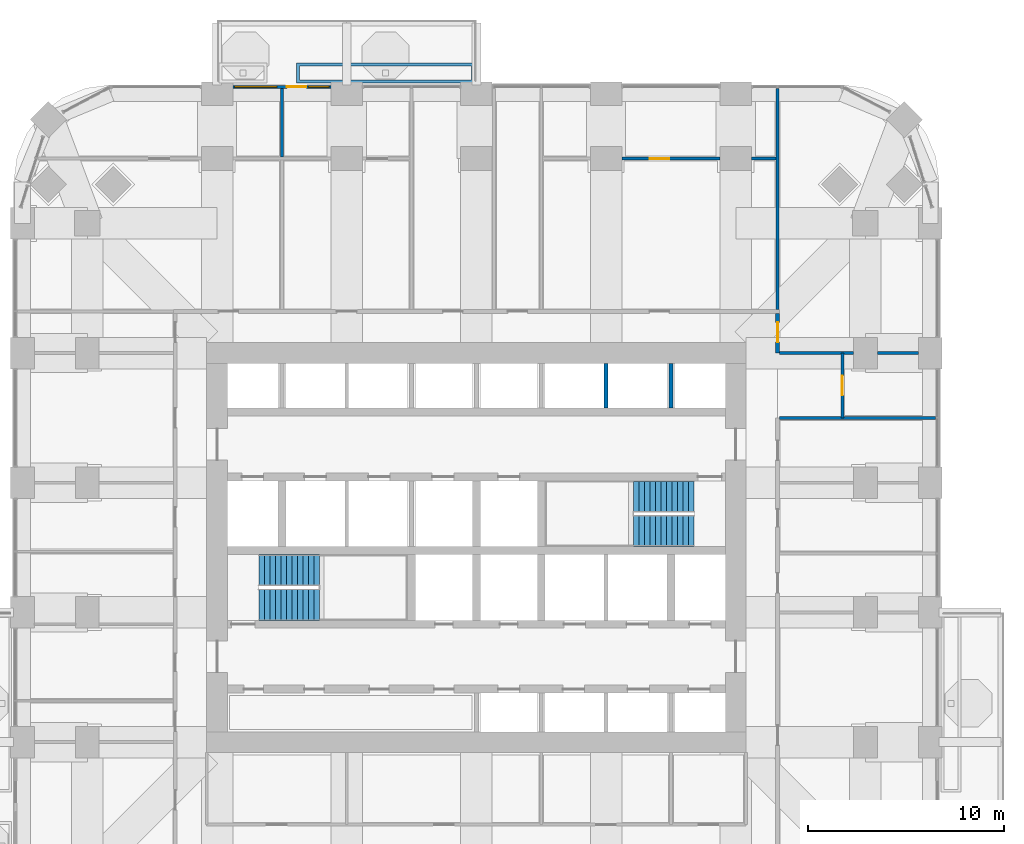
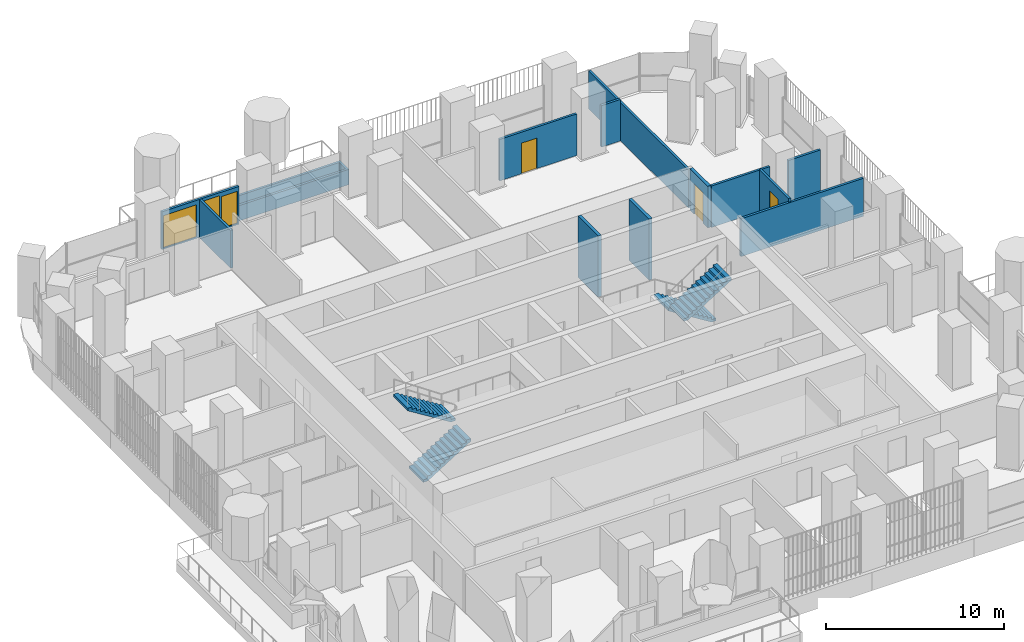
# One storey, part 16 of 21: 13 walls, 4 doors, 4 stair flights, 2 windows, 6 openings, 2 elements without a shape of their own.
"""IFC4 building model written with IfcOpenShell, lengths in metres."""

from ifc_helpers import new_model, si_unit, direction, frame, frame_2d, origin, place, context, subcontext, project, spatial, polyline, rectangle, outline, extrude, material, layer, layer_set, type_object, element, fill, aggregate, save


model = new_model("IFC4")

# Units and contexts
model_context = context("Model", 3, precision=1e-05, world=origin(), true_north=direction((0.0, 1.0)))
body_context = subcontext(model_context, "Body", "Model", "MODEL_VIEW")
ifc_project = project(units=[si_unit("LENGTHUNIT", "METRE"), si_unit("AREAUNIT", "SQUARE_METRE"), si_unit("VOLUMEUNIT", "CUBIC_METRE"), si_unit("PLANEANGLEUNIT", "RADIAN"), si_unit("MASSUNIT", "GRAM", prefix="KILO")], contexts=[model_context])

# Site, building, storey
site_placement = place(None, origin())
site = spatial("IfcSite", under=ifc_project, at=site_placement, CompositionType="ELEMENT")
building_placement = place(site_placement, origin())
building = spatial("IfcBuilding", under=site, at=building_placement, Name="Cobogo Forest Laboratory Tower", CompositionType="ELEMENT")
storey_placement = place(building_placement, frame((0.0, 0.0, 141.0)))
storey = spatial("IfcBuildingStorey", under=building, at=storey_placement, Name="L32", CompositionType="ELEMENT", Elevation=141.0)

# Wall, openings, door, windows
ifc_material_1 = material(Name="Aluminium framed glazed screen", Category="aluminium")
ifc_layer_1 = layer(ifc_material_1, 0.14990234375)
ifc_layer_set_1 = layer_set([ifc_layer_1], Name="GS1 glazed door screen 150")
wall_type_1 = type_object("IfcWallType", Name="GS1 glazed door screen 150", PredefinedType="SOLIDWALL", material=ifc_layer_set_1)
wall_1_placement = place(storey_placement, frame((19.0, 46.550048828125, 0.0), z_axis=(0.0, 0.0, 1.0), x_axis=(-1.0, 0.0, 0.0)))
wall_1 = element("IfcWall", 1, at=wall_1_placement, inside=storey, type_object=wall_type_1, Name="Door screen BAL-N1 L32", PredefinedType="SOLIDWALL", context=body_context, shape_type="SweptSolid", body=[
    extrude(rectangle(XDim=5.0, YDim=0.14990234375, at=frame_2d((2.5, 0.0))), origin(), (0.0, 0.0, 1.0), 2.60009765625),
])
opening_1_placement = place(wall_1_placement, frame((1.25, 0.0, 0.0)))
opening_1 = element("IfcOpeningElement", 2, at=opening_1_placement, cuts=wall_1, Name="Opening L32-D45", PredefinedType="OPENING", context=body_context, shape_type="SweptSolid", body=[
    extrude(rectangle(XDim=1.0, YDim=2.39990234375, at=frame_2d((0.5, 1.199951171875))), frame((0.0, 0.0849609375, 0.0), z_axis=(0.0, -1.0, 0.0), x_axis=(1.0, 0.0, 0.0)), (0.0, 0.0, 1.0), 0.169921875),
])
opening_2_placement = place(wall_1_placement, frame((0.10009765625, 0.0, 0.10009765625)))
opening_2 = element("IfcOpeningElement", 3, at=opening_2_placement, cuts=wall_1, Name="Opening L32-W08", PredefinedType="OPENING", context=body_context, shape_type="SweptSolid", body=[
    extrude(rectangle(XDim=1.050048828125, YDim=2.199951171875, at=frame_2d((0.52490234375, 1.10009765625))), frame((0.0, 0.0849609375, 0.0), z_axis=(0.0, -1.0, 0.0), x_axis=(1.0, 0.0, 0.0)), (0.0, 0.0, 1.0), 0.169921875),
])
opening_3_placement = place(wall_1_placement, frame((2.75, 0.0, 0.10009765625)))
opening_3 = element("IfcOpeningElement", 4, at=opening_3_placement, cuts=wall_1, Name="Opening L32-W07", PredefinedType="OPENING", context=body_context, shape_type="SweptSolid", body=[
    extrude(rectangle(XDim=2.14990234375, YDim=2.199951171875, at=frame_2d((1.074951171875, 1.10009765625))), frame((0.0, 0.0849609375, 0.0), z_axis=(0.0, -1.0, 0.0), x_axis=(1.0, 0.0, 0.0)), (0.0, 0.0, 1.0), 0.169921875),
])
ifc_material_2 = material(Name="Aluminium glazed door", Category="aluminium")
door_type_1 = type_object("IfcDoorType", Name="DB1 balcony door 1000 glazed", OperationType="SINGLE_SWING_LEFT", PredefinedType="DOOR", material=ifc_material_2)
door_1_placement = place(opening_1_placement, origin())
door_1 = element("IfcDoor", 5, at=door_1_placement, inside=storey, type_object=door_type_1, Name="Door L32-BAL-N1", OperationType="SINGLE_SWING_LEFT", OverallHeight=2.39990234375, OverallWidth=1.0, PredefinedType="DOOR", context=body_context, shape_type="SweptSolid", body=[
    extrude(rectangle(XDim=1.0, YDim=2.39990234375, at=frame_2d((0.5, 1.199951171875))), frame((0.0, 0.02490234375, 0.0), z_axis=(0.0, -1.0, 0.0), x_axis=(1.0, 0.0, 0.0)), (0.0, 0.0, 1.0), 0.050048828125),
])
fill(opening_1, door_1)
ifc_material_3 = material(Name="Aluminium framed glazing", Category="aluminium")
window_type_1 = type_object("IfcWindowType", Name="WG17 fixed glazed light 2150x2200", PartitioningType="SINGLE_PANEL", PredefinedType="WINDOW", material=ifc_material_3)
window_1_placement = place(opening_3_placement, origin())
window_1 = element("IfcWindow", 6, at=window_1_placement, inside=storey, type_object=window_type_1, Name="Window L32-BAL-N1-2", OverallHeight=2.199951171875, OverallWidth=2.14990234375, PartitioningType="SINGLE_PANEL", PredefinedType="WINDOW", context=body_context, shape_type="SweptSolid", body=[
    extrude(rectangle(XDim=2.14990234375, YDim=2.199951171875, at=frame_2d((1.074951171875, 1.10009765625))), frame((0.0, 0.030029296875, 0.0), z_axis=(0.0, -1.0, 0.0), x_axis=(1.0, 0.0, 0.0)), (0.0, 0.0, 1.0), 0.06005859375),
])
fill(opening_3, window_1)
window_type_2 = type_object("IfcWindowType", Name="WG18 fixed glazed light 1050x2200", PartitioningType="SINGLE_PANEL", PredefinedType="WINDOW", material=ifc_material_3)
window_2_placement = place(opening_2_placement, origin())
window_2 = element("IfcWindow", 7, at=window_2_placement, inside=storey, type_object=window_type_2, Name="Window L32-BAL-N1-1", OverallHeight=2.199951171875, OverallWidth=1.050048828125, PartitioningType="SINGLE_PANEL", PredefinedType="WINDOW", context=body_context, shape_type="SweptSolid", body=[
    extrude(rectangle(XDim=1.050048828125, YDim=2.199951171875, at=frame_2d((0.52490234375, 1.10009765625))), frame((0.0, 0.030029296875, 0.0), z_axis=(0.0, -1.0, 0.0), x_axis=(1.0, 0.0, 0.0)), (0.0, 0.0, 1.0), 0.06005859375),
])
fill(opening_2, window_2)

# Wall
ifc_material_4 = material(Name="Gypsum board on steel studs", Category="steel")
ifc_layer_2 = layer(ifc_material_4, 0.14990234375)
ifc_layer_set_2 = layer_set([ifc_layer_2], Name="PT1 laboratory partition 150")
wall_type_2 = type_object("IfcWallType", Name="PT1 laboratory partition 150", PredefinedType="PARTITIONING", material=ifc_layer_set_2)
wall_2_placement = place(storey_placement, frame((41.72509765625, 46.469970703125, 0.0), z_axis=(0.0, 0.0, 1.0), x_axis=(0.0, -1.0, 0.0)))
element("IfcWall", 8, at=wall_2_placement, inside=storey, type_object=wall_type_2, Name="Partition PW-NE L32", PredefinedType="PARTITIONING", context=body_context, shape_type="SweptSolid", body=[
    extrude(rectangle(XDim=11.244873046875, YDim=0.14990234375, at=frame_2d((5.62255859375, 0.0))), origin(), (0.0, 0.0, 1.0), 2.60009765625),
])

# Wall, opening, door
wall_3_placement = place(storey_placement, frame((45.02490234375, 29.699951171875, 0.0), z_axis=(0.0, 0.0, 1.0), x_axis=(0.0, 1.0, 0.0)))
wall_3 = element("IfcWall", 9, at=wall_3_placement, inside=storey, type_object=wall_type_2, Name="Partition NODE-E-1 L32", PredefinedType="PARTITIONING", context=body_context, shape_type="SweptSolid", body=[
    extrude(rectangle(XDim=3.300048828125, YDim=0.14990234375, at=frame_2d((1.64990234375, 0.0))), origin(), (0.0, 0.0, 1.0), 2.85009765625),
])
opening_4_placement = place(wall_3_placement, frame((1.14990234375, 0.0, 0.0)))
opening_4 = element("IfcOpeningElement", 10, at=opening_4_placement, cuts=wall_3, Name="Opening L32-D34", PredefinedType="OPENING", context=body_context, shape_type="SweptSolid", body=[
    extrude(rectangle(XDim=1.0, YDim=2.10009765625, at=frame_2d((0.5, 1.050048828125))), frame((0.0, 0.0849609375, 0.0), z_axis=(0.0, -1.0, 0.0), x_axis=(1.0, 0.0, 0.0)), (0.0, 0.0, 1.0), 0.169921875),
])
ifc_material_5 = material(Name="Timber fire door", Category="wood")
door_type_2 = type_object("IfcDoorType", Name="FD2 fire door 1000 EI2 30", OperationType="SINGLE_SWING_LEFT", PredefinedType="DOOR", material=ifc_material_5)
door_2_placement = place(opening_4_placement, origin())
door_2 = element("IfcDoor", 11, at=door_2_placement, inside=storey, type_object=door_type_2, Name="Door L32-E3", OperationType="SINGLE_SWING_LEFT", OverallHeight=2.10009765625, OverallWidth=1.0, PredefinedType="DOOR", context=body_context, shape_type="SweptSolid", body=[
    extrude(rectangle(XDim=1.0, YDim=2.10009765625, at=frame_2d((0.5, 1.050048828125))), frame((0.0, 0.02490234375, 0.0), z_axis=(0.0, -1.0, 0.0), x_axis=(1.0, 0.0, 0.0)), (0.0, 0.0, 1.0), 0.050048828125),
])
fill(opening_4, door_2)

# Walls
wall_4_placement = place(storey_placement, frame((49.77001953125, 29.699951171875, 0.0), z_axis=(0.0, 0.0, 1.0), x_axis=(-1.0, 0.0, 0.0)))
element("IfcWall", 12, at=wall_4_placement, inside=storey, type_object=wall_type_2, Name="Partition CUT-E29.7-1 L32", PredefinedType="PARTITIONING", context=body_context, shape_type="SweptSolid", body=[
    extrude(rectangle(XDim=7.945068359375, YDim=0.14990234375, at=frame_2d((3.97265625, 0.0))), origin(), (0.0, 0.0, 1.0), 2.60009765625),
])
wall_5_placement = place(storey_placement, frame((48.89990234375, 33.0, 0.0), z_axis=(0.0, 0.0, 1.0), x_axis=(-1.0, 0.0, 0.0)))
element("IfcWall", 13, at=wall_5_placement, inside=storey, type_object=wall_type_2, Name="Partition CUT-E33-1 L32", PredefinedType="PARTITIONING", context=body_context, shape_type="SweptSolid", body=[
    extrude(rectangle(XDim=2.099853515625, YDim=0.14990234375, at=frame_2d((1.0498046875, 0.0))), origin(), (0.0, 0.0, 1.0), 2.85009765625),
])
wall_6_placement = place(storey_placement, frame((45.60009765625, 33.0, 0.0), z_axis=(0.0, 0.0, 1.0), x_axis=(-1.0, 0.0, 0.0)))
element("IfcWall", 14, at=wall_6_placement, inside=storey, type_object=wall_type_2, Name="Partition CUT-E33-2 L32", PredefinedType="PARTITIONING", context=body_context, shape_type="SweptSolid", body=[
    extrude(rectangle(XDim=3.775146484375, YDim=0.14990234375, at=frame_2d((1.8876953125, 0.0))), origin(), (0.0, 0.0, 1.0), 2.85009765625),
])
wall_7_placement = place(storey_placement, frame((41.64990234375, 42.89990234375, 0.0), z_axis=(0.0, 0.0, 1.0), x_axis=(-1.0, 0.0, 0.0)))
element("IfcWall", 15, at=wall_7_placement, inside=storey, type_object=wall_type_2, Name="Partition STRIP-N-1 L32", PredefinedType="PARTITIONING", context=body_context, shape_type="SweptSolid", body=[
    extrude(rectangle(XDim=1.25, YDim=0.14990234375, at=frame_2d((0.625, 0.0))), origin(), (0.0, 0.0, 1.0), 2.85009765625),
])

# Wall, opening, door
wall_8_placement = place(storey_placement, frame((38.800048828125, 42.89990234375, 0.0), z_axis=(0.0, 0.0, 1.0), x_axis=(-1.0, 0.0, 0.0)))
wall_8 = element("IfcWall", 16, at=wall_8_placement, inside=storey, type_object=wall_type_2, Name="Partition STRIP-N-2 L32", PredefinedType="PARTITIONING", context=body_context, shape_type="SweptSolid", body=[
    extrude(rectangle(XDim=5.0, YDim=0.14990234375, at=frame_2d((2.5, 0.0))), origin(), (0.0, 0.0, 1.0), 2.85009765625),
])
opening_5_placement = place(wall_8_placement, frame((2.58740234375, 0.0, 0.0)))
opening_5 = element("IfcOpeningElement", 17, at=opening_5_placement, cuts=wall_8, Name="Opening L32-D44", PredefinedType="OPENING", context=body_context, shape_type="SweptSolid", body=[
    extrude(rectangle(XDim=1.0, YDim=2.10009765625, at=frame_2d((0.5, 1.050048828125))), frame((0.0, 0.0849609375, 0.0), z_axis=(0.0, -1.0, 0.0), x_axis=(1.0, 0.0, 0.0)), (0.0, 0.0, 1.0), 0.169921875),
])
door_3_placement = place(opening_5_placement, origin())
door_3 = element("IfcDoor", 18, at=door_3_placement, inside=storey, type_object=door_type_2, Name="Door L32-N4W", OperationType="SINGLE_SWING_RIGHT", OverallHeight=2.10009765625, OverallWidth=1.0, PredefinedType="DOOR", context=body_context, shape_type="SweptSolid", body=[
    extrude(rectangle(XDim=1.0, YDim=2.10009765625, at=frame_2d((0.5, 1.050048828125))), frame((0.0, 0.02490234375, 0.0), z_axis=(0.0, -1.0, 0.0), x_axis=(1.0, 0.0, 0.0)), (0.0, 0.0, 1.0), 0.050048828125),
])
fill(opening_5, door_3)

# Wall
wall_9_placement = place(storey_placement, frame((16.5, 46.469970703125, 0.0), z_axis=(0.0, 0.0, 1.0), x_axis=(0.0, -1.0, 0.0)))
element("IfcWall", 19, at=wall_9_placement, inside=storey, type_object=wall_type_2, Name="Partition CUT-N16.5a-1 L32", PredefinedType="PARTITIONING", context=body_context, shape_type="SweptSolid", body=[
    extrude(rectangle(XDim=3.494873046875, YDim=0.14990234375, at=frame_2d((1.74755859375, 0.0))), origin(), (0.0, 0.0, 1.0), 2.60009765625),
])

# Wall, opening, door
ifc_layer_3 = layer(ifc_material_4, 0.199951171875)
ifc_layer_set_3 = layer_set([ifc_layer_3], Name="PT2 fire-rated corridor partition 200")
wall_type_3 = type_object("IfcWallType", Name="PT2 fire-rated corridor partition 200", PredefinedType="PARTITIONING", material=ifc_layer_set_3)
wall_10_placement = place(storey_placement, frame((41.72509765625, 33.0, 0.0), z_axis=(0.0, 0.0, 1.0), x_axis=(0.0, 1.0, 0.0)))
wall_10 = element("IfcWall", 20, at=wall_10_placement, inside=storey, type_object=wall_type_3, Name="Partition CORR-E-2 L32", PredefinedType="PARTITIONING", context=body_context, shape_type="SweptSolid", body=[
    extrude(rectangle(XDim=2.02490234375, YDim=0.199951171875, at=frame_2d((1.012451171875, 0.0))), origin(), (0.0, 0.0, 1.0), 2.85009765625),
])
opening_6_placement = place(wall_10_placement, frame((0.5625, 0.0, 0.0)))
opening_6 = element("IfcOpeningElement", 21, at=opening_6_placement, cuts=wall_10, Name="Opening L32-D36", PredefinedType="OPENING", context=body_context, shape_type="SweptSolid", body=[
    extrude(rectangle(XDim=1.0, YDim=2.10009765625, at=frame_2d((0.5, 1.050048828125))), frame((0.0, 0.10986328125, 0.0), z_axis=(0.0, -1.0, 0.0), x_axis=(1.0, 0.0, 0.0)), (0.0, 0.0, 1.0), 0.219970703125),
])
door_4_placement = place(opening_6_placement, origin())
door_4 = element("IfcDoor", 22, at=door_4_placement, inside=storey, type_object=door_type_2, Name="Door L32-E4", OperationType="SINGLE_SWING_RIGHT", OverallHeight=2.10009765625, OverallWidth=1.0, PredefinedType="DOOR", context=body_context, shape_type="SweptSolid", body=[
    extrude(rectangle(XDim=1.0, YDim=2.10009765625, at=frame_2d((0.5, 1.050048828125))), frame((0.0, 0.02490234375, 0.0), z_axis=(0.0, -1.0, 0.0), x_axis=(1.0, 0.0, 0.0)), (0.0, 0.0, 1.0), 0.050048828125),
])
fill(opening_6, door_4)

# Walls
ifc_material_6 = material(Name="Concrete HA-40 (C40/50)", Category="concrete")
ifc_layer_4 = layer(ifc_material_6, 0.14990234375)
ifc_layer_set_4 = layer_set([ifc_layer_4], Name="Planter box 1000x1050")
wall_type_4 = type_object("IfcWallType", Name="Planter box 1000x1050", PredefinedType="USERDEFINED", material=ifc_layer_set_4)
wall_11_placement = place(storey_placement, origin())
element("IfcWall", 23, at=wall_11_placement, inside=storey, type_object=wall_type_4, Name="Planter BAL-N1-2 L32", ObjectType="PLANTER", PredefinedType="USERDEFINED", context=body_context, shape_type="SweptSolid", body=[
    extrude(outline(polyline([(17.25, 46.75), (26.300048828125, 46.75), (26.300048828125, 47.75), (17.25, 47.75), (17.25, 46.75)]), holes=[polyline([(17.39990234375, 46.89990234375), (26.14990234375, 46.89990234375), (26.14990234375, 47.60009765625), (17.39990234375, 47.60009765625), (17.39990234375, 46.89990234375)])]), origin(), (0.0, 0.0, 1.0), 1.050048828125),
])
ifc_material_7 = material(Name="Concrete block", Category="concrete")
ifc_layer_5 = layer(ifc_material_7, 0.199951171875)
ifc_layer_set_5 = layer_set([ifc_layer_5], Name="SW200 lift shaft separator 200")
wall_type_5 = type_object("IfcWallType", Name="SW200 lift shaft separator 200", PredefinedType="PARTITIONING", material=ifc_layer_set_5)
for number, where, z_axis, x_axis, name in (
    (24, (33.0, 30.199951171875, 0.0), (0.0, 0.0, 1.0), (0.0, 1.0, 0.0), "Core wall SEP-N6 L32"),
    (25, (36.300048828125, 30.199951171875, 0.0), (0.0, 0.0, 1.0), (0.0, 1.0, 0.0), "Core wall SEP-N7 L32"),
):
    element("IfcWall", number, at=place(storey_placement, frame(where, z_axis=z_axis, x_axis=x_axis)), inside=storey, type_object=wall_type_5, Name=name, PredefinedType="PARTITIONING", context=body_context, shape_type="SweptSolid", body=[
        extrude(rectangle(XDim=2.275146484375, YDim=0.199951171875, at=frame_2d((1.1376953125, 0.0))), origin(), (0.0, 0.0, 1.0), 4.199951171875),
    ])

# Stair, stair flights
ifc_material_8 = material(Name="Precast concrete HA-40 (C40/50)", Category="concrete")
stair_type = type_object("IfcStairType", Name="ST24 exit stair 24 risers", PredefinedType="HALF_TURN_STAIR", material=ifc_material_8)
stair_1_placement = place(storey_placement, origin())
stair_1 = element("IfcStair", 26, at=stair_1_placement, inside=storey, type_object=stair_type, Name="Stair 1 L32 to L33", PredefinedType="HALF_TURN_STAIR")
stair_flight_type = type_object("IfcStairFlightType", Name="ST stair flight 280 going", PredefinedType="STRAIGHT", material=ifc_material_8)
stair_flight_1_placement = place(storey_placement, frame((15.324951171875, 20.199951171875, 0.0), z_axis=(0.0, 0.0, 1.0), x_axis=(1.0, 0.0, 0.0)))
stair_flight_1 = element("IfcStairFlight", 27, at=stair_flight_1_placement, type_object=stair_flight_type, Name="ST1 flight 1", NumberOfRisers=12, NumberOfTreads=11, PredefinedType="STRAIGHT", RiserHeight=0.175, TreadLength=0.28, context=body_context, shape_type="SweptSolid", body=[
    extrude(outline(polyline([(0.0, 0.0), (0.0, 0.175048828125), (0.280029296875, 0.175048828125), (0.280029296875, 0.35009765625), (0.56005859375, 0.35009765625), (0.56005859375, 0.52490234375), (0.840087890625, 0.52490234375), (0.840087890625, 0.699951171875), (1.1201171875, 0.699951171875), (1.1201171875, 0.875), (1.39990234375, 0.875), (1.39990234375, 1.050048828125), (1.679931640625, 1.050048828125), (1.679931640625, 1.22509765625), (1.9599609375, 1.22509765625), (1.9599609375, 1.39990234375), (2.239990234375, 1.39990234375), (2.239990234375, 1.574951171875), (2.52001953125, 1.574951171875), (2.52001953125, 1.75), (2.800048828125, 1.75), (2.800048828125, 1.925048828125), (3.080078125, 1.925048828125), (3.080078125, 2.10009765625), (3.080078125, 1.748291015625), (0.28271484375, 0.0), (0.0, 0.0)])), frame((0.0, 0.800048828125, 0.0), z_axis=(0.0, -1.0, 0.0), x_axis=(1.0, 0.0, 0.0)), (0.0, 0.0, 1.0), 1.60009765625),
])
stair_flight_2_placement = place(storey_placement, frame((18.405029296875, 21.949951171875, 2.10009765625), z_axis=(0.0, 0.0, 1.0), x_axis=(-1.0, 0.0, 0.0)))
stair_flight_2 = element("IfcStairFlight", 28, at=stair_flight_2_placement, type_object=stair_flight_type, Name="ST1 flight 2", NumberOfRisers=12, NumberOfTreads=11, PredefinedType="STRAIGHT", RiserHeight=0.175, TreadLength=0.28, context=body_context, shape_type="SweptSolid", body=[
    extrude(outline(polyline([(0.0, 0.0), (0.0, 0.175048828125), (0.280029296875, 0.175048828125), (0.280029296875, 0.35009765625), (0.56005859375, 0.35009765625), (0.56005859375, 0.52490234375), (0.840087890625, 0.52490234375), (0.840087890625, 0.699951171875), (1.1201171875, 0.699951171875), (1.1201171875, 0.875), (1.39990234375, 0.875), (1.39990234375, 1.050048828125), (1.679931640625, 1.050048828125), (1.679931640625, 1.22509765625), (1.9599609375, 1.22509765625), (1.9599609375, 1.39990234375), (2.239990234375, 1.39990234375), (2.239990234375, 1.574951171875), (2.52001953125, 1.574951171875), (2.52001953125, 1.75), (2.800048828125, 1.75), (2.800048828125, 1.925048828125), (3.080078125, 1.925048828125), (3.080078125, 2.10009765625), (3.080078125, 1.748291015625), (0.28271484375, 0.0), (0.0, 0.0)])), frame((0.0, 0.800048828125, 0.0), z_axis=(0.0, -1.0, 0.0), x_axis=(1.0, 0.0, 0.0)), (0.0, 0.0, 1.0), 1.60009765625),
])
aggregate(stair_1, [stair_flight_1, stair_flight_2])

stair_2_placement = place(storey_placement, origin())
stair_2 = element("IfcStair", 29, at=stair_2_placement, inside=storey, type_object=stair_type, Name="Stair 2 L32 to L33", PredefinedType="HALF_TURN_STAIR")
stair_flight_3_placement = place(storey_placement, frame((37.47509765625, 25.699951171875, 0.0), z_axis=(0.0, 0.0, 1.0), x_axis=(-1.0, 0.0, 0.0)))
stair_flight_3 = element("IfcStairFlight", 30, at=stair_flight_3_placement, type_object=stair_flight_type, Name="ST2 flight 1", NumberOfRisers=12, NumberOfTreads=11, PredefinedType="STRAIGHT", RiserHeight=0.175, TreadLength=0.28, context=body_context, shape_type="SweptSolid", body=[
    extrude(outline(polyline([(0.0, 0.0), (0.0, 0.175048828125), (0.280029296875, 0.175048828125), (0.280029296875, 0.35009765625), (0.56005859375, 0.35009765625), (0.56005859375, 0.52490234375), (0.840087890625, 0.52490234375), (0.840087890625, 0.699951171875), (1.1201171875, 0.699951171875), (1.1201171875, 0.875), (1.39990234375, 0.875), (1.39990234375, 1.050048828125), (1.679931640625, 1.050048828125), (1.679931640625, 1.22509765625), (1.9599609375, 1.22509765625), (1.9599609375, 1.39990234375), (2.239990234375, 1.39990234375), (2.239990234375, 1.574951171875), (2.52001953125, 1.574951171875), (2.52001953125, 1.75), (2.800048828125, 1.75), (2.800048828125, 1.925048828125), (3.080078125, 1.925048828125), (3.080078125, 2.10009765625), (3.080078125, 1.748291015625), (0.28271484375, 0.0), (0.0, 0.0)])), frame((0.0, 0.800048828125, 0.0), z_axis=(0.0, -1.0, 0.0), x_axis=(1.0, 0.0, 0.0)), (0.0, 0.0, 1.0), 1.60009765625),
])
stair_flight_4_placement = place(storey_placement, frame((34.39501953125, 23.949951171875, 2.10009765625), z_axis=(0.0, 0.0, 1.0), x_axis=(1.0, 0.0, 0.0)))
stair_flight_4 = element("IfcStairFlight", 31, at=stair_flight_4_placement, type_object=stair_flight_type, Name="ST2 flight 2", NumberOfRisers=12, NumberOfTreads=11, PredefinedType="STRAIGHT", RiserHeight=0.175, TreadLength=0.28, context=body_context, shape_type="SweptSolid", body=[
    extrude(outline(polyline([(0.0, 0.0), (0.0, 0.175048828125), (0.280029296875, 0.175048828125), (0.280029296875, 0.35009765625), (0.56005859375, 0.35009765625), (0.56005859375, 0.52490234375), (0.840087890625, 0.52490234375), (0.840087890625, 0.699951171875), (1.1201171875, 0.699951171875), (1.1201171875, 0.875), (1.39990234375, 0.875), (1.39990234375, 1.050048828125), (1.679931640625, 1.050048828125), (1.679931640625, 1.22509765625), (1.9599609375, 1.22509765625), (1.9599609375, 1.39990234375), (2.239990234375, 1.39990234375), (2.239990234375, 1.574951171875), (2.52001953125, 1.574951171875), (2.52001953125, 1.75), (2.800048828125, 1.75), (2.800048828125, 1.925048828125), (3.080078125, 1.925048828125), (3.080078125, 2.10009765625), (3.080078125, 1.748291015625), (0.28271484375, 0.0), (0.0, 0.0)])), frame((0.0, 0.800048828125, 0.0), z_axis=(0.0, -1.0, 0.0), x_axis=(1.0, 0.0, 0.0)), (0.0, 0.0, 1.0), 1.60009765625),
])
aggregate(stair_2, [stair_flight_3, stair_flight_4])

save(model, "model.ifc")
